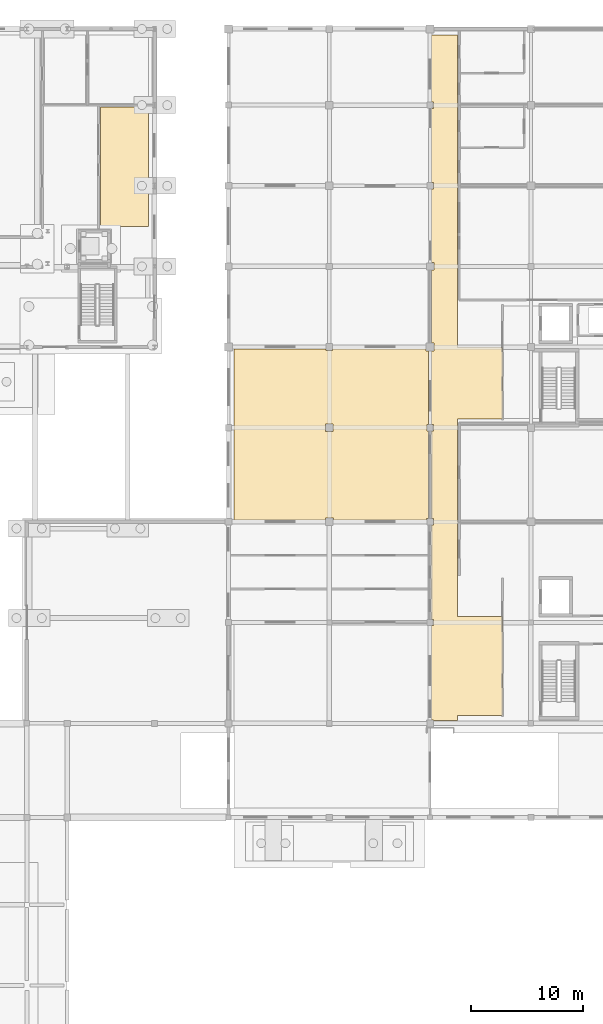
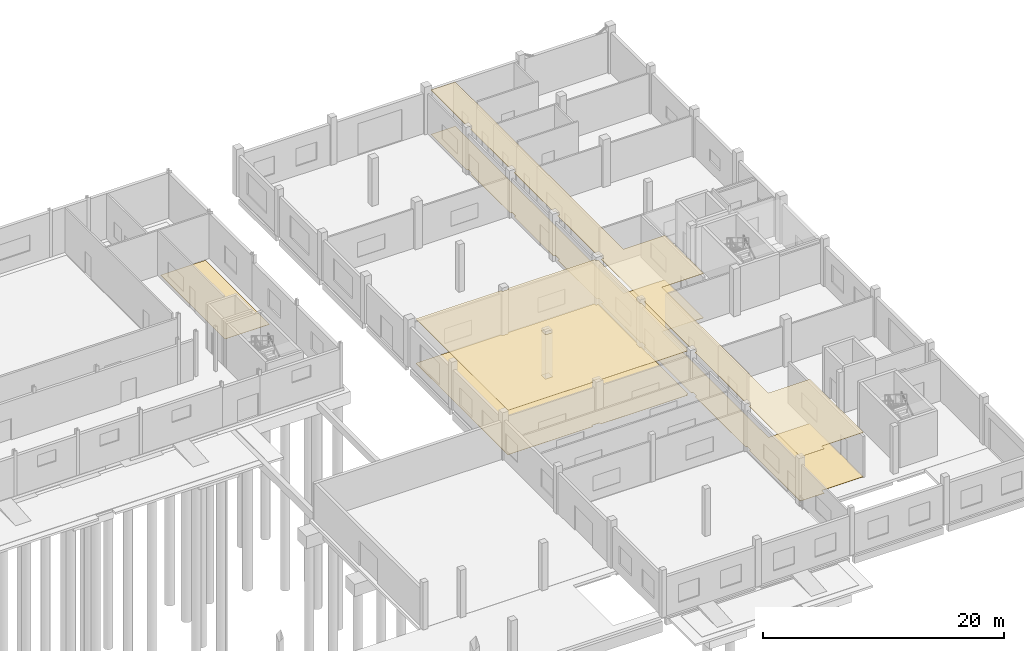
# One storey, part 89 of 91: 5 coverings.
"""IFC4 building model written with IfcOpenShell, lengths in metres."""

from ifc_helpers import new_model, si_unit, direction, frame, origin, place, context, subcontext, project, spatial, polyline, outline, extrude, material, layer, layer_set, type_object, element, save


model = new_model("IFC4")

# Units and contexts
model_context = context("Model", 3, precision=1e-05, world=origin(), true_north=direction((0.0, 1.0)))
body_context = subcontext(model_context, "Body", "Model", "MODEL_VIEW")
ifc_project = project(units=[si_unit("LENGTHUNIT", "METRE"), si_unit("AREAUNIT", "SQUARE_METRE"), si_unit("VOLUMEUNIT", "CUBIC_METRE"), si_unit("PLANEANGLEUNIT", "RADIAN"), si_unit("MASSUNIT", "GRAM", prefix="KILO")], contexts=[model_context])

# Site, building, storey
site_placement = place(None, origin())
site = spatial("IfcSite", under=ifc_project, at=site_placement, CompositionType="ELEMENT")
building_placement = place(site_placement, origin())
building = spatial("IfcBuilding", under=site, at=building_placement, Name="Vinh Khe Railworks Police Headquarters", CompositionType="ELEMENT")
storey_placement = place(building_placement, origin())
storey = spatial("IfcBuildingStorey", under=building, at=storey_placement, Name="L00", CompositionType="ELEMENT", Elevation=0.0)

# Coverings
ifc_material_1 = material(Name="Mineral fibre acoustic ceiling tile")
ifc_layer_1 = layer(ifc_material_1, 0.034912109375)
ifc_layer_set_1 = layer_set([ifc_layer_1], Name="Mineral fibre acoustic ceiling tile")
covering_type_1 = type_object("IfcCoveringType", Name="COV-CEIL-ACOUSTIC", PredefinedType="CEILING", material=ifc_layer_set_1)
covering_1_placement = place(storey_placement, frame((0.0, 0.0, 4.47509765625)))
element("IfcCovering", 1, at=covering_1_placement, inside=storey, type_object=covering_type_1, Name="Acoustic Ceiling Custody and Forensic Ground Corridor", PredefinedType="CEILING", context=body_context, shape_type="SweptSolid", body=[
    extrude(outline(polyline([(96.280029296875, 113.1201171875), (96.139892578125, 113.1201171875), (96.139892578125, 104.705078125), (96.304931640625, 104.705078125), (96.304931640625, 104.639892578125), (98.4599609375, 104.639892578125), (98.4599609375, 105.090087890625), (102.43994140625, 105.090087890625), (102.43994140625, 113.9599609375), (98.4599609375, 113.9599609375), (98.4599609375, 131.590087890625), (102.43994140625, 131.590087890625), (102.43994140625, 137.9599609375), (98.4599609375, 137.9599609375), (98.4599609375, 165.860107421875), (96.139892578125, 165.860107421875), (96.139892578125, 159.8798828125), (96.280029296875, 159.8798828125), (96.280029296875, 159.320068359375), (96.139892578125, 159.320068359375), (96.139892578125, 152.705078125), (96.304931640625, 152.705078125), (96.304931640625, 152.094970703125), (96.139892578125, 152.094970703125), (96.139892578125, 145.530029296875), (96.330078125, 145.530029296875), (96.330078125, 144.8701171875), (96.139892578125, 144.8701171875), (96.139892578125, 138.35498046875), (96.35498046875, 138.35498046875), (96.35498046875, 137.64501953125), (96.139892578125, 137.64501953125), (96.139892578125, 131.080078125), (96.280029296875, 131.080078125), (96.280029296875, 130.52001953125), (96.139892578125, 130.52001953125), (96.139892578125, 122.705078125), (96.304931640625, 122.705078125), (96.304931640625, 122.094970703125), (96.139892578125, 122.094970703125), (96.139892578125, 113.679931640625), (96.280029296875, 113.679931640625), (96.280029296875, 113.1201171875)])), origin(), (0.0, 0.0, 1.0), 0.034912109375),
])
covering_2_placement = place(storey_placement, frame((0.0, 0.0, 4.47509765625)))
element("IfcCovering", 2, at=covering_2_placement, inside=storey, type_object=covering_type_1, Name="Acoustic Ceiling Forensic Evidence Reception Lab", PredefinedType="CEILING", context=body_context, shape_type="SweptSolid", body=[
    extrude(outline(polyline([(86.64501953125, 122.56005859375), (86.64501953125, 122.7548828125), (87.35498046875, 122.7548828125), (87.35498046875, 122.56005859375), (95.695068359375, 122.56005859375), (95.695068359375, 122.705078125), (95.840087890625, 122.705078125), (95.840087890625, 130.52001953125), (95.719970703125, 130.52001953125), (95.719970703125, 131.080078125), (95.840087890625, 131.080078125), (95.840087890625, 137.64501953125), (95.64501953125, 137.64501953125), (95.64501953125, 137.840087890625), (87.304931640625, 137.840087890625), (87.304931640625, 137.695068359375), (86.695068359375, 137.695068359375), (86.695068359375, 137.840087890625), (78.510009765625, 137.840087890625), (78.510009765625, 122.56005859375), (86.64501953125, 122.56005859375)]), holes=[polyline([(87.330078125, 130.469970703125), (86.669921875, 130.469970703125), (86.669921875, 131.1298828125), (87.330078125, 131.1298828125), (87.330078125, 130.469970703125)])]), origin(), (0.0, 0.0, 1.0), 0.034912109375),
])
ifc_material_2 = material(Name="Honed granite terrazzo flooring", Category="masonry")
ifc_layer_2 = layer(ifc_material_2, 0.02001953125)
ifc_layer_set_2 = layer_set([ifc_layer_2], Name="Honed granite terrazzo flooring")
covering_type_2 = type_object("IfcCoveringType", Name="COV-FLR-TERRAZZO", PredefinedType="FLOORING", material=ifc_layer_set_2)
covering_3_placement = place(storey_placement, origin())
element("IfcCovering", 3, at=covering_3_placement, inside=storey, type_object=covering_type_2, Name="Terrazzo Floor Finish Custody and Forensic Ground Corridor", PredefinedType="FLOORING", context=body_context, shape_type="SweptSolid", body=[
    extrude(outline(polyline([(96.280029296875, 113.1201171875), (96.139892578125, 113.1201171875), (96.139892578125, 104.705078125), (96.304931640625, 104.705078125), (96.304931640625, 104.639892578125), (98.4599609375, 104.639892578125), (98.4599609375, 105.090087890625), (102.43994140625, 105.090087890625), (102.43994140625, 113.9599609375), (98.4599609375, 113.9599609375), (98.4599609375, 131.590087890625), (102.43994140625, 131.590087890625), (102.43994140625, 137.9599609375), (98.4599609375, 137.9599609375), (98.4599609375, 165.860107421875), (96.139892578125, 165.860107421875), (96.139892578125, 159.8798828125), (96.280029296875, 159.8798828125), (96.280029296875, 159.320068359375), (96.139892578125, 159.320068359375), (96.139892578125, 152.705078125), (96.304931640625, 152.705078125), (96.304931640625, 152.094970703125), (96.139892578125, 152.094970703125), (96.139892578125, 145.530029296875), (96.330078125, 145.530029296875), (96.330078125, 144.8701171875), (96.139892578125, 144.8701171875), (96.139892578125, 138.35498046875), (96.35498046875, 138.35498046875), (96.35498046875, 137.64501953125), (96.139892578125, 137.64501953125), (96.139892578125, 131.080078125), (96.280029296875, 131.080078125), (96.280029296875, 130.52001953125), (96.139892578125, 130.52001953125), (96.139892578125, 122.705078125), (96.304931640625, 122.705078125), (96.304931640625, 122.094970703125), (96.139892578125, 122.094970703125), (96.139892578125, 113.679931640625), (96.280029296875, 113.679931640625), (96.280029296875, 113.1201171875)])), origin(), (0.0, 0.0, 1.0), 0.02001953125),
])
covering_4_placement = place(storey_placement, origin())
element("IfcCovering", 4, at=covering_4_placement, inside=storey, type_object=covering_type_2, Name="Terrazzo Floor Finish Forensic Evidence Reception Lab", PredefinedType="FLOORING", context=body_context, shape_type="SweptSolid", body=[
    extrude(outline(polyline([(86.64501953125, 122.56005859375), (86.64501953125, 122.7548828125), (87.35498046875, 122.7548828125), (87.35498046875, 122.56005859375), (95.695068359375, 122.56005859375), (95.695068359375, 122.705078125), (95.840087890625, 122.705078125), (95.840087890625, 130.52001953125), (95.719970703125, 130.52001953125), (95.719970703125, 131.080078125), (95.840087890625, 131.080078125), (95.840087890625, 137.64501953125), (95.64501953125, 137.64501953125), (95.64501953125, 137.840087890625), (87.304931640625, 137.840087890625), (87.304931640625, 137.695068359375), (86.695068359375, 137.695068359375), (86.695068359375, 137.840087890625), (78.510009765625, 137.840087890625), (78.510009765625, 122.56005859375), (86.64501953125, 122.56005859375)]), holes=[polyline([(87.330078125, 130.469970703125), (86.669921875, 130.469970703125), (86.669921875, 131.1298828125), (87.330078125, 131.1298828125), (87.330078125, 130.469970703125)])]), origin(), (0.0, 0.0, 1.0), 0.02001953125),
])
covering_5_placement = place(storey_placement, origin())
element("IfcCovering", 5, at=covering_5_placement, inside=storey, type_object=covering_type_2, Name="Terrazzo Floor Finish Gymnasium Changing and Staff WC", PredefinedType="FLOORING", context=body_context, shape_type="SweptSolid", body=[
    extrude(outline(polyline([(70.840087890625, 159.43994140625), (66.56005859375, 159.43994140625), (66.56005859375, 148.760009765625), (70.840087890625, 148.760009765625), (70.840087890625, 159.43994140625)])), origin(), (0.0, 0.0, 1.0), 0.02001953125),
])

save(model, "model.ifc")
